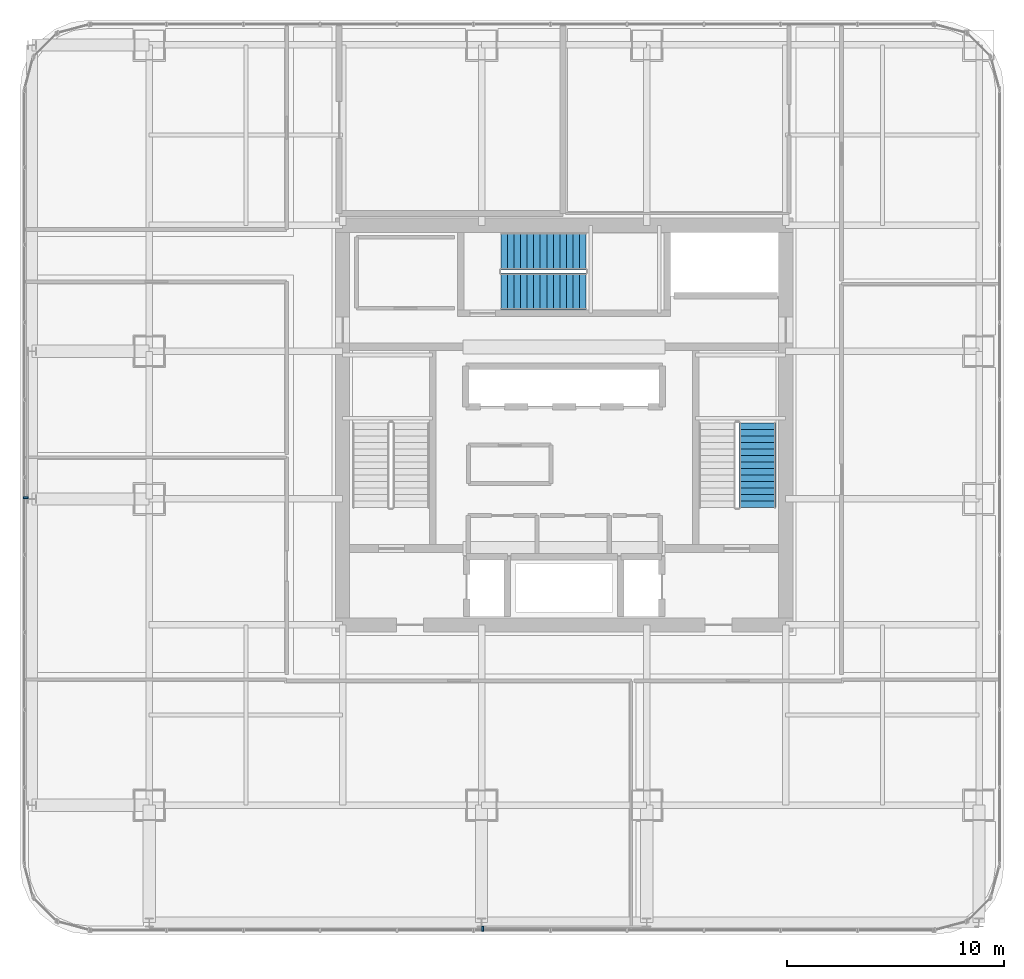
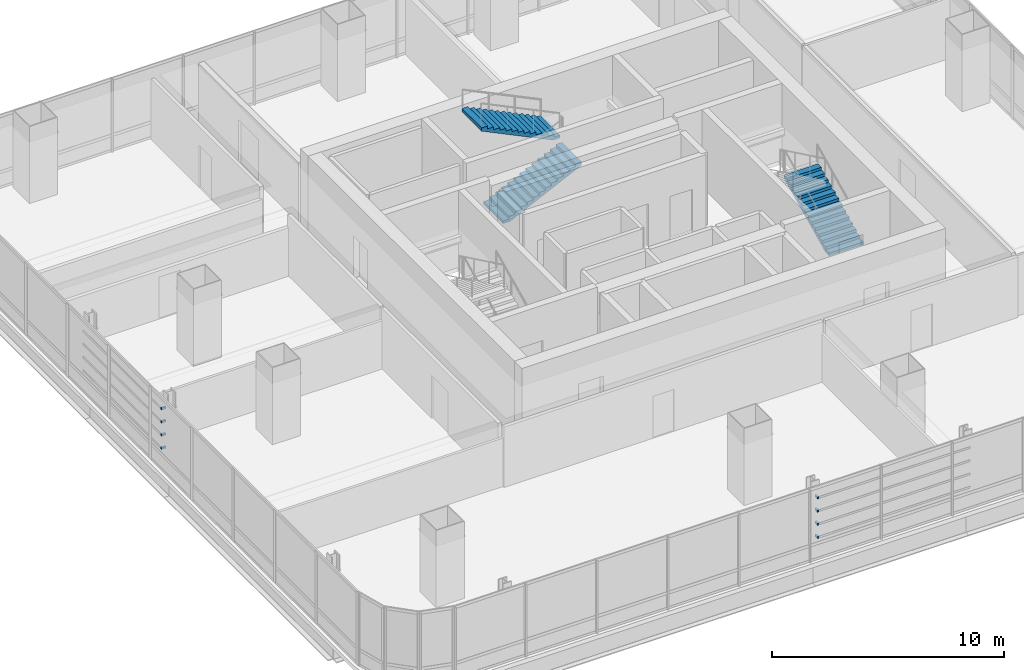
# One storey, part 31 of 36: 8 discrete accessories, 3 stair flights, 2 elements without a shape of their own.
"""IFC4 building model written with IfcOpenShell, lengths in metres."""

from ifc_helpers import new_model, si_unit, direction, frame, origin, origin_2d, place, context, subcontext, project, spatial, polyline, rectangle, outline, extrude, material, type_object, element, aggregate, save


model = new_model("IFC4")

# Units and contexts
model_context = context("Model", 3, precision=1e-05, world=origin(), true_north=direction((0.0, 1.0)))
body_context = subcontext(model_context, "Body", "Model", "MODEL_VIEW")
ifc_project = project(units=[si_unit("LENGTHUNIT", "METRE"), si_unit("AREAUNIT", "SQUARE_METRE"), si_unit("VOLUMEUNIT", "CUBIC_METRE"), si_unit("PLANEANGLEUNIT", "RADIAN"), si_unit("MASSUNIT", "GRAM", prefix="KILO")], contexts=[model_context])

# Site, building, storey
site_placement = place(None, origin())
site = spatial("IfcSite", under=ifc_project, at=site_placement, CompositionType="ELEMENT")
building_placement = place(site_placement, origin())
building = spatial("IfcBuilding", under=site, at=building_placement, Name="Punatoya Terracotta Tower", CompositionType="ELEMENT")
storey_placement = place(building_placement, frame((0.0, 0.0, 180.300048828125)))
storey = spatial("IfcBuildingStorey", under=building, at=storey_placement, Name="L42", CompositionType="ELEMENT", Elevation=180.300048828125)

# Stair, stair flight
ifc_material_1 = material(Name="Concrete C40/50", Category="concrete")
stair_type_1 = type_object("IfcStairType", Name="STR-LOB-1650", PredefinedType="HALF_TURN_STAIR", material=ifc_material_1)
stair_1_placement = place(storey_placement, origin())
stair_1 = element("IfcStair", 1, at=stair_1_placement, inside=storey, type_object=stair_type_1, Name="L42 Protected Core Exit Stair ST-2", PredefinedType="HALF_TURN_STAIR")
stair_flight_type_1 = type_object("IfcStairFlightType", Name="SFL-LOB-1650", PredefinedType="STRAIGHT", material=ifc_material_1)
stair_flight_1_placement = place(storey_placement, frame((8.89990234375, -3.800048828125, 0.0), z_axis=(0.0, 0.0, 1.0), x_axis=(0.0, 1.0, 0.0)))
stair_flight_1 = element("IfcStairFlight", 2, at=stair_flight_1_placement, type_object=stair_flight_type_1, Name="ST-2 flight 1", NumberOfRisers=14, NumberOfTreads=13, PredefinedType="STRAIGHT", RiserHeight=0.144642857, TreadLength=0.3, context=body_context, shape_type="SweptSolid", body=[
    extrude(outline(polyline([(0.0, 0.0), (0.0, 0.14453125), (0.300048828125, 0.14453125), (0.300048828125, 0.289306640625), (0.60009765625, 0.289306640625), (0.60009765625, 0.433837890625), (0.89990234375, 0.433837890625), (0.89990234375, 0.57861328125), (1.199951171875, 0.57861328125), (1.199951171875, 0.72314453125), (1.5, 0.72314453125), (1.5, 0.867919921875), (1.800048828125, 0.867919921875), (1.800048828125, 1.012451171875), (2.10009765625, 1.012451171875), (2.10009765625, 1.1572265625), (2.39990234375, 1.1572265625), (2.39990234375, 1.3017578125), (2.699951171875, 1.3017578125), (2.699951171875, 1.446533203125), (3.0, 1.446533203125), (3.0, 1.591064453125), (3.300048828125, 1.591064453125), (3.300048828125, 1.735595703125), (3.60009765625, 1.735595703125), (3.60009765625, 1.88037109375), (3.89990234375, 1.88037109375), (3.89990234375, 2.02490234375), (3.89990234375, 1.7138671875), (0.34521484375, 0.0), (0.0, 0.0)])), frame((0.0, 0.85009765625, 0.0), z_axis=(0.0, -1.0, 0.0), x_axis=(1.0, 0.0, 0.0)), (0.0, 0.0, 1.0), 1.699951171875),
])
aggregate(stair_1, [stair_flight_1])

# Stair, stair flights
stair_type_2 = type_object("IfcStairType", Name="STR-TER-1450", PredefinedType="HALF_TURN_STAIR", material=ifc_material_1)
stair_2_placement = place(storey_placement, origin())
stair_2 = element("IfcStair", 3, at=stair_2_placement, inside=storey, type_object=stair_type_2, Name="L42 Protected Core Exit Stair ST-3", PredefinedType="HALF_TURN_STAIR")
stair_flight_type_2 = type_object("IfcStairFlightType", Name="SFL-TER-1450", PredefinedType="STRAIGHT", material=ifc_material_1)
stair_flight_2_placement = place(storey_placement, frame((-2.89990234375, 6.14990234375, 0.0), z_axis=(0.0, 0.0, 1.0), x_axis=(1.0, 0.0, 0.0)))
stair_flight_2 = element("IfcStairFlight", 4, at=stair_flight_2_placement, type_object=stair_flight_type_2, Name="ST-3 flight 1", NumberOfRisers=14, NumberOfTreads=13, PredefinedType="STRAIGHT", RiserHeight=0.144642857, TreadLength=0.3, context=body_context, shape_type="SweptSolid", body=[
    extrude(outline(polyline([(0.0, 0.0), (0.0, 0.14453125), (0.300048828125, 0.14453125), (0.300048828125, 0.289306640625), (0.60009765625, 0.289306640625), (0.60009765625, 0.433837890625), (0.89990234375, 0.433837890625), (0.89990234375, 0.57861328125), (1.199951171875, 0.57861328125), (1.199951171875, 0.72314453125), (1.5, 0.72314453125), (1.5, 0.867919921875), (1.800048828125, 0.867919921875), (1.800048828125, 1.012451171875), (2.10009765625, 1.012451171875), (2.10009765625, 1.1572265625), (2.39990234375, 1.1572265625), (2.39990234375, 1.3017578125), (2.699951171875, 1.3017578125), (2.699951171875, 1.446533203125), (3.0, 1.446533203125), (3.0, 1.591064453125), (3.300048828125, 1.591064453125), (3.300048828125, 1.735595703125), (3.60009765625, 1.735595703125), (3.60009765625, 1.88037109375), (3.89990234375, 1.88037109375), (3.89990234375, 2.02490234375), (3.89990234375, 1.7138671875), (0.34521484375, 0.0), (0.0, 0.0)])), frame((0.0, 0.85009765625, 0.0), z_axis=(0.0, -1.0, 0.0), x_axis=(1.0, 0.0, 0.0)), (0.0, 0.0, 1.0), 1.699951171875),
])
stair_flight_3_placement = place(storey_placement, frame((1.0, 8.0, 2.02490234375), z_axis=(0.0, 0.0, 1.0), x_axis=(-1.0, 0.0, 0.0)))
stair_flight_3 = element("IfcStairFlight", 5, at=stair_flight_3_placement, type_object=stair_flight_type_2, Name="ST-3 flight 2", NumberOfRisers=14, NumberOfTreads=13, PredefinedType="STRAIGHT", RiserHeight=0.144642857, TreadLength=0.3, context=body_context, shape_type="SweptSolid", body=[
    extrude(outline(polyline([(0.0, 0.0), (0.0, 0.14453125), (0.300048828125, 0.14453125), (0.300048828125, 0.289306640625), (0.60009765625, 0.289306640625), (0.60009765625, 0.433837890625), (0.89990234375, 0.433837890625), (0.89990234375, 0.57861328125), (1.199951171875, 0.57861328125), (1.199951171875, 0.72314453125), (1.5, 0.72314453125), (1.5, 0.867919921875), (1.800048828125, 0.867919921875), (1.800048828125, 1.012451171875), (2.10009765625, 1.012451171875), (2.10009765625, 1.1572265625), (2.39990234375, 1.1572265625), (2.39990234375, 1.3017578125), (2.699951171875, 1.3017578125), (2.699951171875, 1.446533203125), (3.0, 1.446533203125), (3.0, 1.591064453125), (3.300048828125, 1.591064453125), (3.300048828125, 1.735595703125), (3.60009765625, 1.735595703125), (3.60009765625, 1.88037109375), (3.89990234375, 1.88037109375), (3.89990234375, 2.02490234375), (3.89990234375, 1.7138671875), (0.34521484375, 0.0), (0.0, 0.0)])), frame((0.0, 0.85009765625, 0.0), z_axis=(0.0, -1.0, 0.0), x_axis=(1.0, 0.0, 0.0)), (0.0, 0.0, 1.0), 1.699951171875),
])
aggregate(stair_2, [stair_flight_2, stair_flight_3])

# Discrete accessories
ifc_material_2 = material(Name="Steel S355", Category="steel")
discrete_accessory_type = type_object("IfcDiscreteAccessoryType", Name="ACC-BRK-220", PredefinedType="BRACKET", material=ifc_material_2)
for number, where, z_axis, x_axis, name in (
    (6, (-3.75, -23.1826171875, 1.099853515625), (0.0, 0.0, 1.0), (1.0, 0.0, 0.0), "L42 Baguette Louvre Column Bracket BAG-L42-S-01"),
    (7, (-3.75, -23.1826171875, 1.793212890625), (0.0, 0.0, 1.0), (1.0, 0.0, 0.0), "L42 Baguette Louvre Column Bracket BAG-L42-S-02"),
    (8, (-3.75, -23.1826171875, 2.486572265625), (0.0, 0.0, 1.0), (1.0, 0.0, 0.0), "L42 Baguette Louvre Column Bracket BAG-L42-S-03"),
    (9, (-3.75, -23.1826171875, 3.179931640625), (0.0, 0.0, 1.0), (1.0, 0.0, 0.0), "L42 Baguette Louvre Column Bracket BAG-L42-S-04"),
    (10, (-24.782470703125, -3.35009765625, 1.099853515625), (0.0, 0.0, 1.0), (0.0, 1.0, 0.0), "L42 Baguette Louvre Column Bracket BAG-L42-W-01"),
    (11, (-24.782470703125, -3.35009765625, 1.793212890625), (0.0, 0.0, 1.0), (0.0, 1.0, 0.0), "L42 Baguette Louvre Column Bracket BAG-L42-W-02"),
    (12, (-24.782470703125, -3.35009765625, 2.486572265625), (0.0, 0.0, 1.0), (0.0, 1.0, 0.0), "L42 Baguette Louvre Column Bracket BAG-L42-W-03"),
    (13, (-24.782470703125, -3.35009765625, 3.179931640625), (0.0, 0.0, 1.0), (0.0, 1.0, 0.0), "L42 Baguette Louvre Column Bracket BAG-L42-W-04"),
):
    element("IfcDiscreteAccessory", number, at=place(storey_placement, frame(where, z_axis=z_axis, x_axis=x_axis)), inside=storey, type_object=discrete_accessory_type, Name=name, PredefinedType="BRACKET", context=body_context, shape_type="SweptSolid", body=[
        extrude(rectangle(XDim=0.090087890625, YDim=0.219970703125, at=origin_2d()), origin(), (0.0, 0.0, 1.0), 0.10009765625),
    ])

save(model, "model.ifc")
